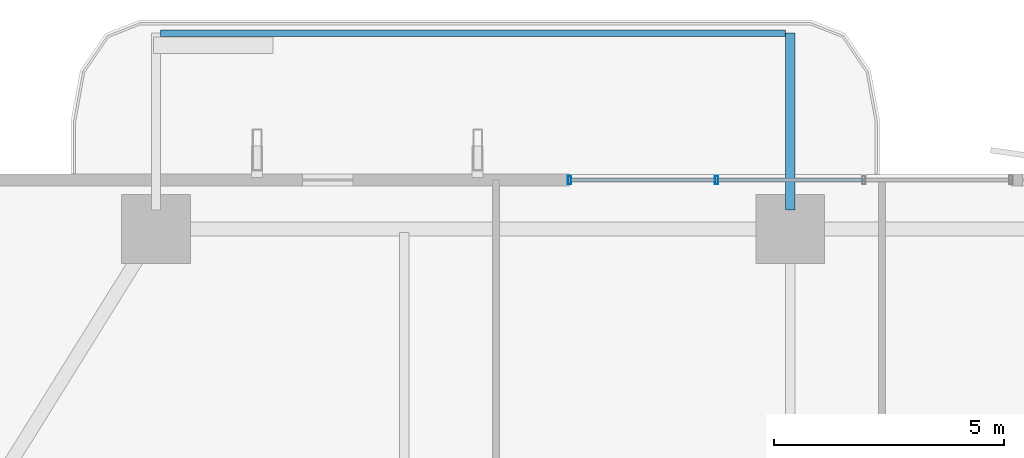
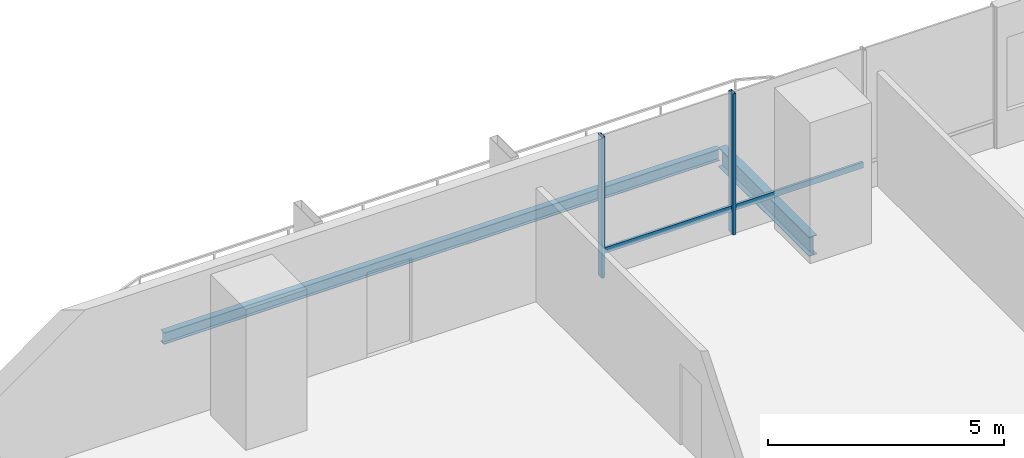
# One storey, part 11 of 24: 4 members, 2 beams, 1 element without a shape of its own.
"""IFC4 building model written with IfcOpenShell, lengths in metres."""

from ifc_helpers import new_model, si_unit, direction, frame, origin, origin_2d, place, context, subcontext, project, spatial, hollow_rectangle, i_section, extrude, material, layer, layer_set, material_profile, profile_set, type_object, element, aggregate, save


model = new_model("IFC4")

# Units and contexts
model_context = context("Model", 3, precision=1e-05, world=origin(), true_north=direction((0.0, 1.0)))
body_context = subcontext(model_context, "Body", "Model", "MODEL_VIEW")
ifc_project = project(units=[si_unit("LENGTHUNIT", "METRE"), si_unit("AREAUNIT", "SQUARE_METRE"), si_unit("VOLUMEUNIT", "CUBIC_METRE"), si_unit("PLANEANGLEUNIT", "RADIAN"), si_unit("MASSUNIT", "GRAM", prefix="KILO")], contexts=[model_context])

# Site, building, storey
site_placement = place(None, origin())
site = spatial("IfcSite", under=ifc_project, at=site_placement, CompositionType="ELEMENT")
building_placement = place(site_placement, origin())
building = spatial("IfcBuilding", under=site, at=building_placement, Name="Belovzor Exchange Tower", CompositionType="ELEMENT")
storey_placement = place(building_placement, frame((0.0, 0.0, 96.300048828125)))
storey = spatial("IfcBuildingStorey", under=building, at=storey_placement, Name="L23", CompositionType="ELEMENT", Elevation=96.300048828125)

# Beams
ifc_material_1 = material(Name="Steel S355", Category="steel")
ifc_material_profile_1 = material_profile(ifc_material_1, i_section(OverallWidth=0.199951171875, OverallDepth=0.5, WebThickness=0.01025390625, FlangeThickness=0.01611328125, at=origin_2d()))
ifc_profile_set_1 = profile_set([ifc_material_profile_1], Name="Steel S355")
beam_type_1 = type_object("IfcBeamType", Name="Planted Balcony Cantilever Beam IPE 500", PredefinedType="BEAM", material=ifc_profile_set_1)
beam_1_placement = place(storey_placement, frame((28.800048828125, 55.9130859375, -0.5), z_axis=(0.0, 1.0, 0.0), x_axis=(-1.0, 0.0, 0.0)))
element("IfcBeam", 1, at=beam_1_placement, inside=storey, type_object=beam_type_1, Name="BC-500 Planted Balcony Cantilever Beam IPE 500", PredefinedType="BEAM", context=body_context, shape_type="SweptSolid", body=[
    extrude(i_section(OverallWidth=0.199951171875, OverallDepth=0.5, WebThickness=0.01025390625, FlangeThickness=0.01611328125, at=origin_2d()), origin(), (0.0, 0.0, 1.0), 3.849853515625),
])
ifc_material_2 = material(Name="Steel S355", Category="steel")
ifc_material_profile_2 = material_profile(ifc_material_2, i_section(OverallWidth=0.14990234375, OverallDepth=0.300048828125, WebThickness=0.007080078125, FlangeThickness=0.0107421875, at=origin_2d()))
ifc_profile_set_2 = profile_set([ifc_material_profile_2], Name="Steel S355")
beam_type_2 = type_object("IfcBeamType", Name="Planted Balcony Fascia Edge Beam IPE 300", PredefinedType="BEAM", material=ifc_profile_set_2)
beam_2_placement = place(storey_placement, frame((28.699951171875, 59.762939453125, -0.400146484375), z_axis=(-1.0, 0.0, 0.0), x_axis=(0.0, -1.0, 0.0)))
element("IfcBeam", 2, at=beam_2_placement, inside=storey, type_object=beam_type_2, Name="BC-300 Planted Balcony Fascia Edge Beam IPE 300", PredefinedType="BEAM", context=body_context, shape_type="SweptSolid", body=[
    extrude(i_section(OverallWidth=0.14990234375, OverallDepth=0.300048828125, WebThickness=0.007080078125, FlangeThickness=0.0107421875, at=origin_2d()), origin(), (0.0, 0.0, 1.0), 13.599853515625),
])

# Curtain wall, members
ifc_material_3 = material(Name="Anodised Aluminium Framing", Category="aluminium")
ifc_layer = layer(ifc_material_3, 0.179931640625)
ifc_layer_set = layer_set([ifc_layer], Name="Anodised Aluminium Framing")
curtain_wall_type = type_object("IfcCurtainWallType", Name="Recessed Loggia Low-Iron Triple-Glazed Curtain Wall", PredefinedType="NOTDEFINED", material=ifc_layer_set)
curtain_wall_placement = place(storey_placement, origin())
curtain_wall = element("IfcCurtainWall", 3, at=curtain_wall_placement, inside=storey, type_object=curtain_wall_type, Name="CW3 Recessed Loggia Low-Iron Triple-Glazed Curtain Wall L23", PredefinedType="NOTDEFINED")
ifc_material_4 = material(Name="Steel S355", Category="steel")
ifc_material_profile_3 = material_profile(ifc_material_4, hollow_rectangle(XDim=0.074951171875, YDim=0.179931640625, WallThickness=0.0048828125, at=origin_2d()))
ifc_profile_set_3 = profile_set([ifc_material_profile_3], Name="Steel S355")
member_type_1 = type_object("IfcMemberType", Name="Thermally Broken Curtain Wall Mullion 180x75", PredefinedType="MULLION", material=ifc_profile_set_3)
member_1_placement = place(storey_placement, frame((24.0, 56.570068359375, 0.0), z_axis=(0.0, 0.0, 1.0), x_axis=(1.0, 0.0, 0.0)))
member_1 = element("IfcMember", 4, at=member_1_placement, type_object=member_type_1, Name="CW-M180 Curtain Wall Mullion 1", PredefinedType="MULLION", context=body_context, shape_type="SweptSolid", body=[
    extrude(hollow_rectangle(XDim=0.074951171875, YDim=0.179931640625, WallThickness=0.0048828125, at=origin_2d()), origin(), (0.0, 0.0, 1.0), 3.64990234375),
])
member_2_placement = place(storey_placement, frame((27.199951171875, 56.570068359375, 0.0), z_axis=(0.0, 0.0, 1.0), x_axis=(1.0, 0.0, 0.0)))
member_2 = element("IfcMember", 5, at=member_2_placement, type_object=member_type_1, Name="CW-M180 Curtain Wall Mullion 2", PredefinedType="MULLION", context=body_context, shape_type="SweptSolid", body=[
    extrude(hollow_rectangle(XDim=0.074951171875, YDim=0.179931640625, WallThickness=0.0048828125, at=origin_2d()), origin(), (0.0, 0.0, 1.0), 3.64990234375),
])
ifc_material_5 = material(Name="Steel S355", Category="steel")
ifc_material_profile_4 = material_profile(ifc_material_5, hollow_rectangle(XDim=0.06005859375, YDim=0.14990234375, WallThickness=0.00390625, at=origin_2d()))
ifc_profile_set_4 = profile_set([ifc_material_profile_4], Name="Steel S355")
member_type_2 = type_object("IfcMemberType", Name="Thermally Broken Curtain Wall Transom 150x60", PredefinedType="USERDEFINED", material=ifc_profile_set_4)
member_3_placement = place(storey_placement, frame((24.008056640625, 56.570068359375, 0.64990234375), z_axis=(1.0, 0.0, 0.0), x_axis=(0.0, 1.0, 0.0)))
member_3 = element("IfcMember", 6, at=member_3_placement, type_object=member_type_2, Name="CW-T150 Curtain Wall Transom 1", ObjectType="TRANSOM", PredefinedType="USERDEFINED", context=body_context, shape_type="SweptSolid", body=[
    extrude(hollow_rectangle(XDim=0.06005859375, YDim=0.14990234375, WallThickness=0.00390625, at=origin_2d()), origin(), (0.0, 0.0, 1.0), 3.183837890625),
])
member_4_placement = place(storey_placement, frame((27.2080078125, 56.570068359375, 0.64990234375), z_axis=(1.0, 0.0, 0.0), x_axis=(0.0, 1.0, 0.0)))
member_4 = element("IfcMember", 7, at=member_4_placement, type_object=member_type_2, Name="CW-T150 Curtain Wall Transom 2", ObjectType="TRANSOM", PredefinedType="USERDEFINED", context=body_context, shape_type="SweptSolid", body=[
    extrude(hollow_rectangle(XDim=0.06005859375, YDim=0.14990234375, WallThickness=0.00390625, at=origin_2d()), origin(), (0.0, 0.0, 1.0), 3.18408203125),
])
aggregate(curtain_wall, [member_1, member_2, member_3, member_4])

save(model, "model.ifc")
